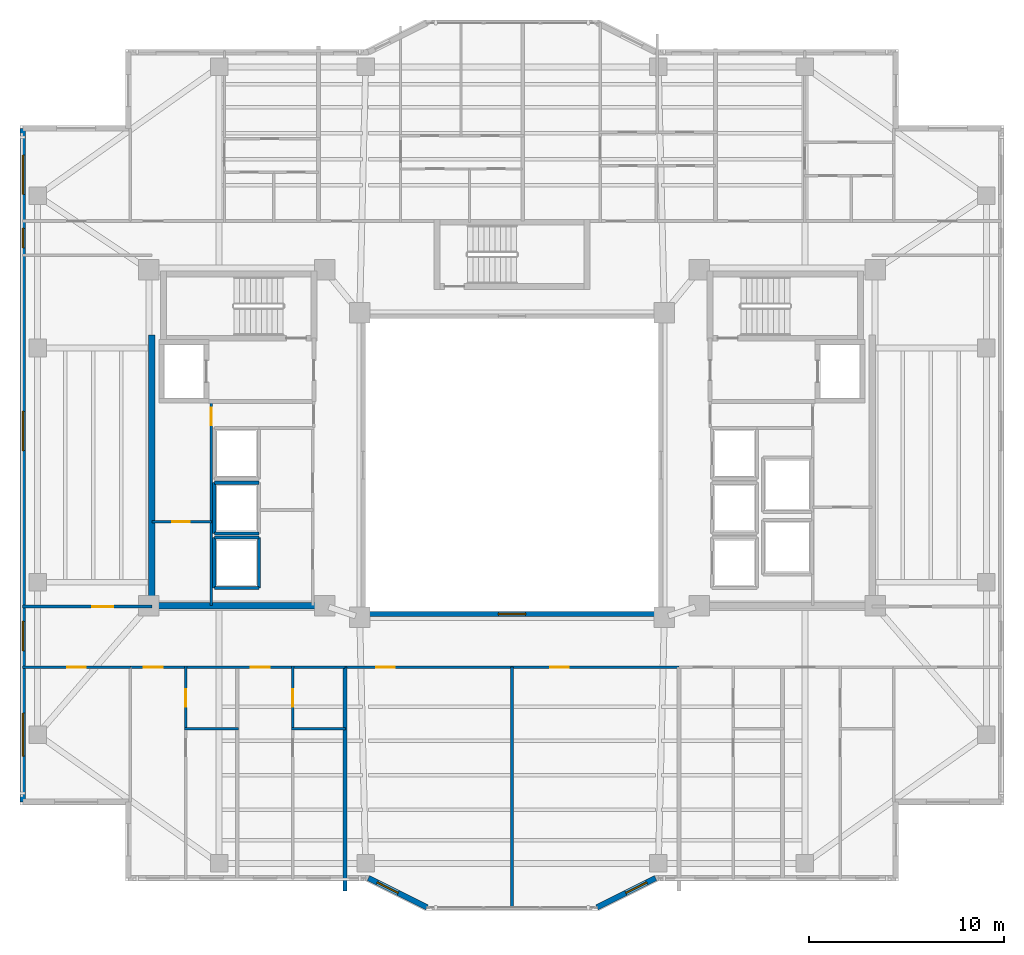
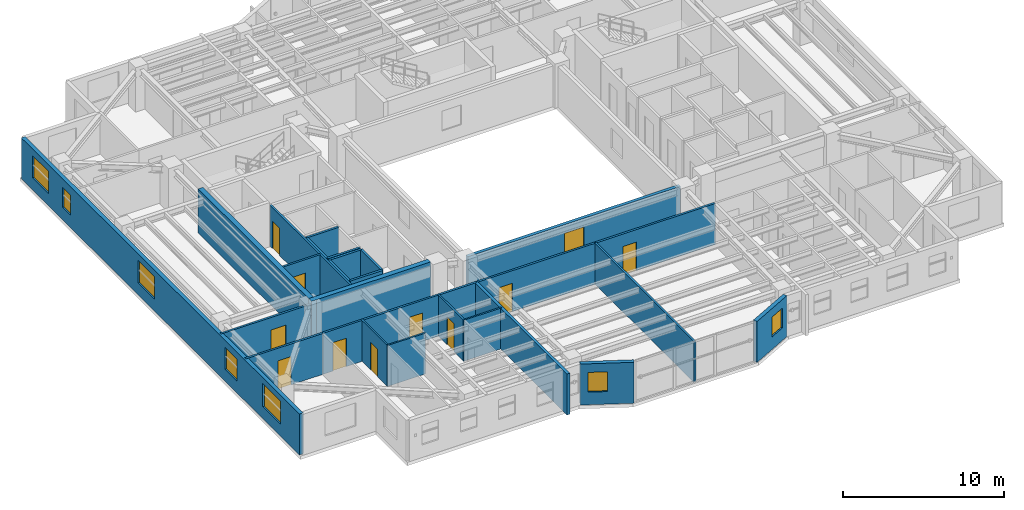
# One storey, part 6 of 16: 25 walls, 10 doors, 8 windows, 18 openings.
"""IFC4 building model written with IfcOpenShell, lengths in metres."""

from ifc_helpers import new_model, si_unit, direction, frame, frame_2d, origin, place, context, subcontext, project, spatial, rectangle, extrude, material, layer, layer_set, type_object, element, fill, save


model = new_model("IFC4")

# Units and contexts
model_context = context("Model", 3, precision=1e-05, world=origin(), true_north=direction((0.0, 1.0)))
body_context = subcontext(model_context, "Body", "Model", "MODEL_VIEW")
ifc_project = project(units=[si_unit("LENGTHUNIT", "METRE"), si_unit("AREAUNIT", "SQUARE_METRE"), si_unit("VOLUMEUNIT", "CUBIC_METRE"), si_unit("PLANEANGLEUNIT", "RADIAN"), si_unit("MASSUNIT", "GRAM", prefix="KILO")], contexts=[model_context])

# Site, building, storey
site_placement = place(None, origin())
site = spatial("IfcSite", under=ifc_project, at=site_placement, CompositionType="ELEMENT")
building_placement = place(site_placement, origin())
building = spatial("IfcBuilding", under=site, at=building_placement, Name="Tarnavaz Court Tower", CompositionType="ELEMENT")
storey_placement = place(building_placement, frame((0.0, 0.0, 152.699951171875)))
storey = spatial("IfcBuildingStorey", under=building, at=storey_placement, Name="L41", CompositionType="ELEMENT", Elevation=152.699951171875)

# Walls
ifc_material_1 = material(Name="Concrete C50/60", Category="concrete")
ifc_layer_1 = layer(ifc_material_1, 0.35009765625)
ifc_layer_set_1 = layer_set([ifc_layer_1], Name="Concrete C50/60")
wall_type_1 = type_object("IfcWallType", Name="WL-CORE-350-C50", PredefinedType="SHEAR", material=ifc_layer_set_1)
wall_1_placement = place(storey_placement, frame((-18.449951171875, -7.375, 0.0), z_axis=(0.0, 0.0, 1.0), x_axis=(0.0, 1.0, 0.0)))
element("IfcWall", 1, at=wall_1_placement, inside=storey, type_object=wall_type_1, Name="L41 West Core Shear Wall 057", PredefinedType="SHEAR", context=body_context, shape_type="SweptSolid", body=[
    extrude(rectangle(XDim=14.050048828125, YDim=0.35009765625, at=frame_2d((7.02490234375, 0.0))), origin(), (0.0, 0.0, 1.0), 3.35009765625),
])
wall_2_placement = place(storey_placement, frame((-18.625, -7.199951171875, 0.0), z_axis=(0.0, 0.0, 1.0), x_axis=(1.0, 0.0, 0.0)))
element("IfcWall", 2, at=wall_2_placement, inside=storey, type_object=wall_type_1, Name="L41 West Core South Shear Wall 058", PredefinedType="SHEAR", context=body_context, shape_type="SweptSolid", body=[
    extrude(rectangle(XDim=8.550048828125, YDim=0.35009765625, at=frame_2d((4.27490234375, 0.0))), origin(), (0.0, 0.0, 1.0), 3.35009765625),
])

# Wall, openings, windows
ifc_material_2 = material(Name="Precast Concrete C40/50", Category="concrete")
ifc_layer_2 = layer(ifc_material_2, 0.280029296875)
ifc_layer_set_2 = layer_set([ifc_layer_2], Name="Precast Concrete C40/50")
wall_type_2 = type_object("IfcWallType", Name="WL-EXT-280", PredefinedType="SOLIDWALL", material=ifc_layer_set_2)
wall_3_placement = place(storey_placement, frame((-25.050048828125, -17.25, 0.0), z_axis=(0.0, 0.0, 1.0), x_axis=(0.0, 1.0, 0.0)))
wall_3 = element("IfcWall", 3, at=wall_3_placement, inside=storey, type_object=wall_type_2, Name="L41 Exterior Terracotta Facade Wall 02", PredefinedType="SOLIDWALL", context=body_context, shape_type="SweptSolid", body=[
    extrude(rectangle(XDim=34.5, YDim=0.280029296875, at=frame_2d((17.25, 0.0))), origin(), (0.0, 0.0, 1.0), 3.10009765625),
])
opening_1_placement = place(wall_3_placement, frame((2.35009765625, 0.0, 0.89990234375)))
opening_1 = element("IfcOpeningElement", 4, at=opening_1_placement, cuts=wall_3, Name="Opening W07", PredefinedType="OPENING", context=body_context, shape_type="SweptSolid", body=[
    extrude(rectangle(XDim=2.199951171875, YDim=1.75, at=frame_2d((1.10009765625, 0.875))), frame((0.0, 0.14990234375, 0.0), z_axis=(0.0, -1.0, 0.0), x_axis=(1.0, 0.0, 0.0)), (0.0, 0.0, 1.0), 0.300048828125),
])
opening_2_placement = place(wall_3_placement, frame((7.742431640625, 0.0, 0.89990234375)))
opening_2 = element("IfcOpeningElement", 5, at=opening_2_placement, cuts=wall_3, Name="Opening W03", PredefinedType="OPENING", context=body_context, shape_type="SweptSolid", body=[
    extrude(rectangle(XDim=1.5, YDim=1.64990234375, at=frame_2d((0.75, 0.824951171875))), frame((0.0, 0.14990234375, 0.0), z_axis=(0.0, -1.0, 0.0), x_axis=(1.0, 0.0, 0.0)), (0.0, 0.0, 1.0), 0.300048828125),
])
opening_3_placement = place(wall_3_placement, frame((18.0, 0.0, 0.89990234375)))
opening_3 = element("IfcOpeningElement", 6, at=opening_3_placement, cuts=wall_3, Name="Opening W08", PredefinedType="OPENING", context=body_context, shape_type="SweptSolid", body=[
    extrude(rectangle(XDim=2.0, YDim=1.699951171875, at=frame_2d((1.0, 0.85009765625))), frame((0.0, 0.14990234375, 0.0), z_axis=(0.0, -1.0, 0.0), x_axis=(1.0, 0.0, 0.0)), (0.0, 0.0, 1.0), 0.300048828125),
])
opening_4_placement = place(wall_3_placement, frame((28.375, 0.0, 0.949951171875)))
opening_4 = element("IfcOpeningElement", 7, at=opening_4_placement, cuts=wall_3, Name="Opening W14", PredefinedType="OPENING", context=body_context, shape_type="SweptSolid", body=[
    extrude(rectangle(XDim=1.0, YDim=1.5, at=frame_2d((0.5, 0.75))), frame((0.0, 0.14990234375, 0.0), z_axis=(0.0, -1.0, 0.0), x_axis=(1.0, 0.0, 0.0)), (0.0, 0.0, 1.0), 0.300048828125),
])
opening_5_placement = place(wall_3_placement, frame((31.125, 0.0, 0.89990234375)))
opening_5 = element("IfcOpeningElement", 8, at=opening_5_placement, cuts=wall_3, Name="Opening W08", PredefinedType="OPENING", context=body_context, shape_type="SweptSolid", body=[
    extrude(rectangle(XDim=2.0, YDim=1.699951171875, at=frame_2d((1.0, 0.85009765625))), frame((0.0, 0.14990234375, 0.0), z_axis=(0.0, -1.0, 0.0), x_axis=(1.0, 0.0, 0.0)), (0.0, 0.0, 1.0), 0.300048828125),
])
ifc_material_3 = material(Name="Double-Glazed Solar Low-E Glass", Category="glass")
window_type_1 = type_object("IfcWindowType", Name="WN-APT-1000", PartitioningType="SINGLE_PANEL", PredefinedType="WINDOW", material=ifc_material_3)
window_1_placement = place(opening_4_placement, origin())
window_1 = element("IfcWindow", 9, at=window_1_placement, inside=storey, type_object=window_type_1, Name="L41 North-West Corner Corridor Window", OverallHeight=1.5, OverallWidth=1.0, PartitioningType="SINGLE_PANEL", PredefinedType="WINDOW", context=body_context, shape_type="SweptSolid", body=[
    extrude(rectangle(XDim=1.0, YDim=1.5, at=frame_2d((0.5, 0.75))), frame((0.0, 0.030029296875, 0.0), z_axis=(0.0, -1.0, 0.0), x_axis=(1.0, 0.0, 0.0)), (0.0, 0.0, 1.0), 0.06005859375),
])
fill(opening_4, window_1)
window_type_2 = type_object("IfcWindowType", Name="WN-APT-1500", PartitioningType="DOUBLE_PANEL_VERTICAL", PredefinedType="WINDOW", material=ifc_material_3)
window_2_placement = place(opening_2_placement, origin())
window_2 = element("IfcWindow", 10, at=window_2_placement, inside=storey, type_object=window_type_2, Name="L41 South-West Corner Corridor Window", OverallHeight=1.64990234375, OverallWidth=1.5, PartitioningType="SINGLE_PANEL", PredefinedType="WINDOW", context=body_context, shape_type="SweptSolid", body=[
    extrude(rectangle(XDim=1.5, YDim=1.64990234375, at=frame_2d((0.75, 0.824951171875))), frame((0.0, 0.030029296875, 0.0), z_axis=(0.0, -1.0, 0.0), x_axis=(1.0, 0.0, 0.0)), (0.0, 0.0, 1.0), 0.06005859375),
])
fill(opening_2, window_2)
window_type_3 = type_object("IfcWindowType", Name="WN-APT-2000", PartitioningType="DOUBLE_PANEL_VERTICAL", PredefinedType="WINDOW", material=ifc_material_3)
window_3_placement = place(opening_3_placement, origin())
window_3 = element("IfcWindow", 11, at=window_3_placement, inside=storey, type_object=window_type_3, Name="L41 West Wing Panoramic Study Gallery Window", OverallHeight=1.699951171875, OverallWidth=2.0, PartitioningType="SINGLE_PANEL", PredefinedType="WINDOW", context=body_context, shape_type="SweptSolid", body=[
    extrude(rectangle(XDim=2.0, YDim=1.699951171875, at=frame_2d((1.0, 0.85009765625))), frame((0.0, 0.030029296875, 0.0), z_axis=(0.0, -1.0, 0.0), x_axis=(1.0, 0.0, 0.0)), (0.0, 0.0, 1.0), 0.06005859375),
])
fill(opening_3, window_3)
window_4_placement = place(opening_5_placement, origin())
window_4 = element("IfcWindow", 12, at=window_4_placement, inside=storey, type_object=window_type_3, Name="L41 North-West Corner Sunroom Study Window", OverallHeight=1.699951171875, OverallWidth=2.0, PartitioningType="SINGLE_PANEL", PredefinedType="WINDOW", context=body_context, shape_type="SweptSolid", body=[
    extrude(rectangle(XDim=2.0, YDim=1.699951171875, at=frame_2d((1.0, 0.85009765625))), frame((0.0, 0.030029296875, 0.0), z_axis=(0.0, -1.0, 0.0), x_axis=(1.0, 0.0, 0.0)), (0.0, 0.0, 1.0), 0.06005859375),
])
fill(opening_5, window_4)
window_type_4 = type_object("IfcWindowType", Name="WN-APT-2200", PartitioningType="TRIPLE_PANEL_VERTICAL", PredefinedType="WINDOW", material=ifc_material_3)
window_5_placement = place(opening_1_placement, origin())
window_5 = element("IfcWindow", 13, at=window_5_placement, inside=storey, type_object=window_type_4, Name="L41 South-West Corner Reading Room Window", OverallHeight=1.75, OverallWidth=2.199951171875, PartitioningType="SINGLE_PANEL", PredefinedType="WINDOW", context=body_context, shape_type="SweptSolid", body=[
    extrude(rectangle(XDim=2.199951171875, YDim=1.75, at=frame_2d((1.10009765625, 0.875))), frame((0.0, 0.030029296875, 0.0), z_axis=(0.0, -1.0, 0.0), x_axis=(1.0, 0.0, 0.0)), (0.0, 0.0, 1.0), 0.06005859375),
])
fill(opening_1, window_5)

# Wall, opening, window
wall_4_placement = place(storey_placement, frame((7.35009765625, -21.14990234375, 0.0), z_axis=(0.0, 0.0, 1.0), x_axis=(-0.894427191, -0.4472135955, 0.0)))
wall_4 = element("IfcWall", 14, at=wall_4_placement, inside=storey, type_object=wall_type_2, Name="L41 Exterior Terracotta Facade Wall 16", PredefinedType="SOLIDWALL", context=body_context, shape_type="SweptSolid", body=[
    extrude(rectangle(XDim=3.35400390625, YDim=0.280029296875, at=frame_2d((1.677001953125, 0.0))), origin(), (0.0, 0.0, 1.0), 3.10009765625),
])
opening_6_placement = place(wall_4_placement, frame((0.501220703125, 0.0, 0.949951171875)))
opening_6 = element("IfcOpeningElement", 15, at=opening_6_placement, cuts=wall_4, Name="Opening W05", PredefinedType="OPENING", context=body_context, shape_type="SweptSolid", body=[
    extrude(rectangle(XDim=1.199951171875, YDim=1.5, at=frame_2d((0.60009765625, 0.75))), frame((0.0, 0.14990234375, 0.0), z_axis=(0.0, -1.0, 0.0), x_axis=(1.0, 0.0, 0.0)), (0.0, 0.0, 1.0), 0.300048828125),
])
window_type_5 = type_object("IfcWindowType", Name="WN-APT-1200", PartitioningType="SINGLE_PANEL", PredefinedType="WINDOW", material=ifc_material_3)
window_6_placement = place(opening_6_placement, origin())
window_6 = element("IfcWindow", 16, at=window_6_placement, inside=storey, type_object=window_type_5, Name="L41 South Courtyard Reading Room Window", OverallHeight=1.5, OverallWidth=1.199951171875, PartitioningType="SINGLE_PANEL", PredefinedType="WINDOW", context=body_context, shape_type="SweptSolid", body=[
    extrude(rectangle(XDim=1.199951171875, YDim=1.5, at=frame_2d((0.60009765625, 0.75))), frame((0.0, 0.030029296875, 0.0), z_axis=(0.0, -1.0, 0.0), x_axis=(1.0, 0.0, 0.0)), (0.0, 0.0, 1.0), 0.06005859375),
])
fill(opening_6, window_6)

wall_5_placement = place(storey_placement, frame((-4.35009765625, -22.64990234375, 0.0), z_axis=(0.0, 0.0, 1.0), x_axis=(-0.894427191, 0.4472135955, 0.0)))
wall_5 = element("IfcWall", 17, at=wall_5_placement, inside=storey, type_object=wall_type_2, Name="L41 Exterior Terracotta Facade Wall 18", PredefinedType="SOLIDWALL", context=body_context, shape_type="SweptSolid", body=[
    extrude(rectangle(XDim=3.35400390625, YDim=0.280029296875, at=frame_2d((1.677001953125, 0.0))), origin(), (0.0, 0.0, 1.0), 3.10009765625),
])
opening_7_placement = place(wall_5_placement, frame((1.65283203125, 0.0, 0.949951171875)))
opening_7 = element("IfcOpeningElement", 18, at=opening_7_placement, cuts=wall_5, Name="Opening W05", PredefinedType="OPENING", context=body_context, shape_type="SweptSolid", body=[
    extrude(rectangle(XDim=1.199951171875, YDim=1.5, at=frame_2d((0.60009765625, 0.75))), frame((0.0, 0.14990234375, 0.0), z_axis=(0.0, -1.0, 0.0), x_axis=(1.0, 0.0, 0.0)), (0.0, 0.0, 1.0), 0.300048828125),
])
window_7_placement = place(opening_7_placement, origin())
window_7 = element("IfcWindow", 19, at=window_7_placement, inside=storey, type_object=window_type_5, Name="L41 South Courtyard Majlis Lounge Window", OverallHeight=1.5, OverallWidth=1.199951171875, PartitioningType="SINGLE_PANEL", PredefinedType="WINDOW", context=body_context, shape_type="SweptSolid", body=[
    extrude(rectangle(XDim=1.199951171875, YDim=1.5, at=frame_2d((0.60009765625, 0.75))), frame((0.0, 0.030029296875, 0.0), z_axis=(0.0, -1.0, 0.0), x_axis=(1.0, 0.0, 0.0)), (0.0, 0.0, 1.0), 0.06005859375),
])
fill(opening_7, window_7)

# Wall, openings, doors
ifc_material_4 = material(Name="Gypsum Fire-Board on Acoustic Metal Stud", Category="masonry")
ifc_layer_3 = layer(ifc_material_4, 0.14990234375)
ifc_layer_set_3 = layer_set([ifc_layer_3], Name="Gypsum Fire-Board on Acoustic Metal Stud")
wall_type_3 = type_object("IfcWallType", Name="WL-FIRE-150", PredefinedType="PARTITIONING", material=ifc_layer_set_3)
wall_6_placement = place(storey_placement, frame((-19.550048828125, -10.35009765625, 0.0), z_axis=(0.0, 0.0, 1.0), x_axis=(1.0, 0.0, 0.0)))
wall_6 = element("IfcWall", 20, at=wall_6_placement, inside=storey, type_object=wall_type_3, Name="L41 SW Horseshoe Wall 073", PredefinedType="PARTITIONING", context=body_context, shape_type="SweptSolid", body=[
    extrude(rectangle(XDim=11.0, YDim=0.14990234375, at=frame_2d((5.5, 0.0))), origin(), (0.0, 0.0, 1.0), 3.10009765625),
])
opening_8_placement = place(wall_6_placement, frame((0.699951171875, 0.0, 0.0)))
opening_8 = element("IfcOpeningElement", 21, at=opening_8_placement, cuts=wall_6, Name="Opening D06", PredefinedType="OPENING", context=body_context, shape_type="SweptSolid", body=[
    extrude(rectangle(XDim=0.9599609375, YDim=2.14990234375, at=frame_2d((0.47998046875, 1.074951171875))), frame((0.0, 0.0849609375, 0.0), z_axis=(0.0, -1.0, 0.0), x_axis=(1.0, 0.0, 0.0)), (0.0, 0.0, 1.0), 0.169921875),
])
opening_9_placement = place(wall_6_placement, frame((6.175048828125, 0.0, 0.0)))
opening_9 = element("IfcOpeningElement", 22, at=opening_9_placement, cuts=wall_6, Name="Opening D06", PredefinedType="OPENING", context=body_context, shape_type="SweptSolid", body=[
    extrude(rectangle(XDim=0.9599609375, YDim=2.14990234375, at=frame_2d((0.47998046875, 1.074951171875))), frame((0.0, 0.0849609375, 0.0), z_axis=(0.0, -1.0, 0.0), x_axis=(1.0, 0.0, 0.0)), (0.0, 0.0, 1.0), 0.169921875),
])
ifc_material_5 = material(Name="Fire-Rated Hardwood Timber Core", Category="wood")
door_type_1 = type_object("IfcDoorType", Name="DR-FD60-950", OperationType="NOTDEFINED", PredefinedType="DOOR", material=ifc_material_5)
door_1_placement = place(opening_8_placement, origin())
door_1 = element("IfcDoor", 23, at=door_1_placement, inside=storey, type_object=door_type_1, Name="L41 Flat 05 Entrance Door", OperationType="SINGLE_SWING_LEFT", OverallHeight=2.14990234375, OverallWidth=0.9599609375, PredefinedType="DOOR", context=body_context, shape_type="SweptSolid", body=[
    extrude(rectangle(XDim=0.9599609375, YDim=2.14990234375, at=frame_2d((0.47998046875, 1.074951171875))), frame((0.0, 0.02490234375, 0.0), z_axis=(0.0, -1.0, 0.0), x_axis=(1.0, 0.0, 0.0)), (0.0, 0.0, 1.0), 0.050048828125),
])
fill(opening_8, door_1)
door_2_placement = place(opening_9_placement, origin())
door_2 = element("IfcDoor", 24, at=door_2_placement, inside=storey, type_object=door_type_1, Name="L41 Flat 06 Entrance Door", OperationType="SINGLE_SWING_RIGHT", OverallHeight=2.14990234375, OverallWidth=0.9599609375, PredefinedType="DOOR", context=body_context, shape_type="SweptSolid", body=[
    extrude(rectangle(XDim=0.9599609375, YDim=2.14990234375, at=frame_2d((0.47998046875, 1.074951171875))), frame((0.0, 0.02490234375, 0.0), z_axis=(0.0, -1.0, 0.0), x_axis=(1.0, 0.0, 0.0)), (0.0, 0.0, 1.0), 0.050048828125),
])
fill(opening_9, door_2)

wall_7_placement = place(storey_placement, frame((-8.550048828125, -10.35009765625, 0.0), z_axis=(0.0, 0.0, 1.0), x_axis=(1.0, 0.0, 0.0)))
wall_7 = element("IfcWall", 25, at=wall_7_placement, inside=storey, type_object=wall_type_3, Name="L41 Interior Partition 116", PredefinedType="PARTITIONING", context=body_context, shape_type="SweptSolid", body=[
    extrude(rectangle(XDim=17.10009765625, YDim=0.14990234375, at=frame_2d((8.550048828125, 0.0))), origin(), (0.0, 0.0, 1.0), 3.10009765625),
])
opening_10_placement = place(wall_7_placement, frame((1.60009765625, 0.0, 0.0)))
opening_10 = element("IfcOpeningElement", 26, at=opening_10_placement, cuts=wall_7, Name="Opening D13", PredefinedType="OPENING", context=body_context, shape_type="SweptSolid", body=[
    extrude(rectangle(XDim=0.949951171875, YDim=2.14990234375, at=frame_2d((0.47509765625, 1.074951171875))), frame((0.0, 0.0849609375, 0.0), z_axis=(0.0, -1.0, 0.0), x_axis=(1.0, 0.0, 0.0)), (0.0, 0.0, 1.0), 0.169921875),
])
opening_11_placement = place(wall_7_placement, frame((10.5, 0.0, 0.0)))
opening_11 = element("IfcOpeningElement", 27, at=opening_11_placement, cuts=wall_7, Name="Opening D13", PredefinedType="OPENING", context=body_context, shape_type="SweptSolid", body=[
    extrude(rectangle(XDim=0.949951171875, YDim=2.14990234375, at=frame_2d((0.47509765625, 1.074951171875))), frame((0.0, 0.0849609375, 0.0), z_axis=(0.0, -1.0, 0.0), x_axis=(1.0, 0.0, 0.0)), (0.0, 0.0, 1.0), 0.169921875),
])
ifc_material_6 = material(Name="Engineered Oak Timber", Category="wood")
door_type_2 = type_object("IfcDoorType", Name="DR-INT-950", OperationType="NOTDEFINED", PredefinedType="DOOR", material=ifc_material_6)
door_3_placement = place(opening_10_placement, origin())
door_3 = element("IfcDoor", 28, at=door_3_placement, inside=storey, type_object=door_type_2, Name="L41 South Majlis Lounge Door", OperationType="SINGLE_SWING_LEFT", OverallHeight=2.14990234375, OverallWidth=0.949951171875, PredefinedType="DOOR", context=body_context, shape_type="SweptSolid", body=[
    extrude(rectangle(XDim=0.949951171875, YDim=2.14990234375, at=frame_2d((0.47509765625, 1.074951171875))), frame((0.0, 0.02490234375, 0.0), z_axis=(0.0, -1.0, 0.0), x_axis=(1.0, 0.0, 0.0)), (0.0, 0.0, 1.0), 0.050048828125),
])
fill(opening_10, door_3)
door_4_placement = place(opening_11_placement, origin())
door_4 = element("IfcDoor", 29, at=door_4_placement, inside=storey, type_object=door_type_2, Name="L41 South Reading Room Door", OperationType="SINGLE_SWING_RIGHT", OverallHeight=2.14990234375, OverallWidth=0.949951171875, PredefinedType="DOOR", context=body_context, shape_type="SweptSolid", body=[
    extrude(rectangle(XDim=0.949951171875, YDim=2.14990234375, at=frame_2d((0.47509765625, 1.074951171875))), frame((0.0, 0.02490234375, 0.0), z_axis=(0.0, -1.0, 0.0), x_axis=(1.0, 0.0, 0.0)), (0.0, 0.0, 1.0), 0.050048828125),
])
fill(opening_11, door_4)

# Wall, opening, door
wall_8_placement = place(storey_placement, frame((-25.080078125, -7.25, 0.0), z_axis=(0.0, 0.0, 1.0), x_axis=(1.0, 0.0, 0.0)))
wall_8 = element("IfcWall", 30, at=wall_8_placement, inside=storey, type_object=wall_type_3, Name="L41 Interior Partition 118", PredefinedType="PARTITIONING", context=body_context, shape_type="SweptSolid", body=[
    extrude(rectangle(XDim=6.630126953125, YDim=0.14990234375, at=frame_2d((3.31494140625, 0.0))), origin(), (0.0, 0.0, 1.0), 3.10009765625),
])
opening_12_placement = place(wall_8_placement, frame((3.580078125, 0.0, 0.0)))
opening_12 = element("IfcOpeningElement", 31, at=opening_12_placement, cuts=wall_8, Name="Opening D12", PredefinedType="OPENING", context=body_context, shape_type="SweptSolid", body=[
    extrude(rectangle(XDim=1.080078125, YDim=2.14990234375, at=frame_2d((0.5400390625, 1.074951171875))), frame((0.0, 0.0849609375, 0.0), z_axis=(0.0, -1.0, 0.0), x_axis=(1.0, 0.0, 0.0)), (0.0, 0.0, 1.0), 0.169921875),
])
door_type_3 = type_object("IfcDoorType", Name="DR-INT-1100", OperationType="NOTDEFINED", PredefinedType="DOOR", material=ifc_material_6)
door_5_placement = place(opening_12_placement, origin())
door_5 = element("IfcDoor", 32, at=door_5_placement, inside=storey, type_object=door_type_3, Name="L41 West Study Gallery Door", OperationType="SINGLE_SWING_LEFT", OverallHeight=2.14990234375, OverallWidth=1.080078125, PredefinedType="DOOR", context=body_context, shape_type="SweptSolid", body=[
    extrude(rectangle(XDim=1.080078125, YDim=2.14990234375, at=frame_2d((0.5400390625, 1.074951171875))), frame((0.0, 0.02490234375, 0.0), z_axis=(0.0, -1.0, 0.0), x_axis=(1.0, 0.0, 0.0)), (0.0, 0.0, 1.0), 0.050048828125),
])
fill(opening_12, door_5)

wall_9_placement = place(storey_placement, frame((-25.080078125, -10.35009765625, 0.0), z_axis=(0.0, 0.0, 1.0), x_axis=(1.0, 0.0, 0.0)))
wall_9 = element("IfcWall", 33, at=wall_9_placement, inside=storey, type_object=wall_type_3, Name="L41 Interior Partition 128", PredefinedType="PARTITIONING", context=body_context, shape_type="SweptSolid", body=[
    extrude(rectangle(XDim=5.530029296875, YDim=0.14990234375, at=frame_2d((2.76513671875, 0.0))), origin(), (0.0, 0.0, 1.0), 3.10009765625),
])
opening_13_placement = place(wall_9_placement, frame((2.2900390625, 0.0, 0.0)))
opening_13 = element("IfcOpeningElement", 34, at=opening_13_placement, cuts=wall_9, Name="Opening D13", PredefinedType="OPENING", context=body_context, shape_type="SweptSolid", body=[
    extrude(rectangle(XDim=0.949951171875, YDim=2.14990234375, at=frame_2d((0.47509765625, 1.074951171875))), frame((0.0, 0.0849609375, 0.0), z_axis=(0.0, -1.0, 0.0), x_axis=(1.0, 0.0, 0.0)), (0.0, 0.0, 1.0), 0.169921875),
])
door_6_placement = place(opening_13_placement, origin())
door_6 = element("IfcDoor", 35, at=door_6_placement, inside=storey, type_object=door_type_2, Name="L41 SW Reading Room Door", OperationType="SINGLE_SWING_LEFT", OverallHeight=2.14990234375, OverallWidth=0.949951171875, PredefinedType="DOOR", context=body_context, shape_type="SweptSolid", body=[
    extrude(rectangle(XDim=0.949951171875, YDim=2.14990234375, at=frame_2d((0.47509765625, 1.074951171875))), frame((0.0, 0.02490234375, 0.0), z_axis=(0.0, -1.0, 0.0), x_axis=(1.0, 0.0, 0.0)), (0.0, 0.0, 1.0), 0.050048828125),
])
fill(opening_13, door_6)

# Wall
ifc_material_7 = material(Name="Autoclaved Aerated Concrete Blockwork", Category="masonry")
ifc_layer_4 = layer(ifc_material_7, 0.199951171875)
ifc_layer_set_4 = layer_set([ifc_layer_4], Name="Autoclaved Aerated Concrete Blockwork")
wall_type_4 = type_object("IfcWallType", Name="WL-FIRE-200", PredefinedType="SOLIDWALL", material=ifc_layer_set_4)
wall_10_placement = place(storey_placement, frame((-8.550048828125, -21.803955078125, 0.0), z_axis=(0.0, 0.0, 1.0), x_axis=(0.0, 1.0, 0.0)))
element("IfcWall", 36, at=wall_10_placement, inside=storey, type_object=wall_type_4, Name="L41 Party Wall 114", PredefinedType="SOLIDWALL", context=body_context, shape_type="SweptSolid", body=[
    extrude(rectangle(XDim=11.453857421875, YDim=0.199951171875, at=frame_2d((5.72705078125, 0.0))), origin(), (0.0, 0.0, 1.0), 3.10009765625),
])

# Wall, opening, door
ifc_material_8 = material(Name="Moisture-Resistant Gypsum Board Partition", Category="masonry")
ifc_layer_5 = layer(ifc_material_8, 0.1201171875)
ifc_layer_set_5 = layer_set([ifc_layer_5], Name="Moisture-Resistant Gypsum Board Partition")
wall_type_5 = type_object("IfcWallType", Name="WL-PART-120", PredefinedType="PARTITIONING", material=ifc_layer_set_5)
wall_11_placement = place(storey_placement, frame((-16.705078125, -13.510009765625, 0.0), z_axis=(0.0, 0.0, 1.0), x_axis=(0.0, 1.0, 0.0)))
wall_11 = element("IfcWall", 37, at=wall_11_placement, inside=storey, type_object=wall_type_5, Name="L41 Interior Partition 102", PredefinedType="PARTITIONING", context=body_context, shape_type="SweptSolid", body=[
    extrude(rectangle(XDim=3.219970703125, YDim=0.1201171875, at=frame_2d((1.60986328125, 0.0))), origin(), (0.0, 0.0, 1.0), 3.10009765625),
])
opening_14_placement = place(wall_11_placement, frame((1.139892578125, 0.0, 0.0)))
opening_14 = element("IfcOpeningElement", 38, at=opening_14_placement, cuts=wall_11, Name="Opening D14", PredefinedType="OPENING", context=body_context, shape_type="SweptSolid", body=[
    extrude(rectangle(XDim=0.8798828125, YDim=2.10009765625, at=frame_2d((0.43994140625, 1.050048828125))), frame((0.0, 0.070068359375, 0.0), z_axis=(0.0, -1.0, 0.0), x_axis=(1.0, 0.0, 0.0)), (0.0, 0.0, 1.0), 0.14013671875),
])
door_type_4 = type_object("IfcDoorType", Name="DR-INT-900", OperationType="NOTDEFINED", PredefinedType="DOOR", material=ifc_material_6)
door_7_placement = place(opening_14_placement, origin())
door_7 = element("IfcDoor", 39, at=door_7_placement, inside=storey, type_object=door_type_4, Name="L41 Flat 05 Bathroom Door", OperationType="SINGLE_SWING_LEFT", OverallHeight=2.10009765625, OverallWidth=0.8798828125, PredefinedType="DOOR", context=body_context, shape_type="SweptSolid", body=[
    extrude(rectangle(XDim=0.8798828125, YDim=2.10009765625, at=frame_2d((0.43994140625, 1.050048828125))), frame((0.0, 0.02490234375, 0.0), z_axis=(0.0, -1.0, 0.0), x_axis=(1.0, 0.0, 0.0)), (0.0, 0.0, 1.0), 0.050048828125),
])
fill(opening_14, door_7)

# Wall
wall_12_placement = place(storey_placement, frame((-16.764892578125, -13.510009765625, 0.0), z_axis=(0.0, 0.0, 1.0), x_axis=(1.0, 0.0, 0.0)))
element("IfcWall", 40, at=wall_12_placement, inside=storey, type_object=wall_type_5, Name="L41 Interior Partition 103", PredefinedType="PARTITIONING", context=body_context, shape_type="SweptSolid", body=[
    extrude(rectangle(XDim=2.75, YDim=0.1201171875, at=frame_2d((1.375, 0.0))), origin(), (0.0, 0.0, 1.0), 3.10009765625),
])

# Wall, opening, door
wall_13_placement = place(storey_placement, frame((-11.22998046875, -13.510009765625, 0.0), z_axis=(0.0, 0.0, 1.0), x_axis=(0.0, 1.0, 0.0)))
wall_13 = element("IfcWall", 41, at=wall_13_placement, inside=storey, type_object=wall_type_5, Name="L41 Interior Partition 105", PredefinedType="PARTITIONING", context=body_context, shape_type="SweptSolid", body=[
    extrude(rectangle(XDim=3.219970703125, YDim=0.1201171875, at=frame_2d((1.60986328125, 0.0))), origin(), (0.0, 0.0, 1.0), 3.10009765625),
])
opening_15_placement = place(wall_13_placement, frame((1.139892578125, 0.0, 0.0)))
opening_15 = element("IfcOpeningElement", 42, at=opening_15_placement, cuts=wall_13, Name="Opening D14", PredefinedType="OPENING", context=body_context, shape_type="SweptSolid", body=[
    extrude(rectangle(XDim=0.8798828125, YDim=2.10009765625, at=frame_2d((0.43994140625, 1.050048828125))), frame((0.0, 0.070068359375, 0.0), z_axis=(0.0, -1.0, 0.0), x_axis=(1.0, 0.0, 0.0)), (0.0, 0.0, 1.0), 0.14013671875),
])
door_8_placement = place(opening_15_placement, origin())
door_8 = element("IfcDoor", 43, at=door_8_placement, inside=storey, type_object=door_type_4, Name="L41 Flat 06 Bathroom Door", OperationType="SINGLE_SWING_RIGHT", OverallHeight=2.10009765625, OverallWidth=0.8798828125, PredefinedType="DOOR", context=body_context, shape_type="SweptSolid", body=[
    extrude(rectangle(XDim=0.8798828125, YDim=2.10009765625, at=frame_2d((0.43994140625, 1.050048828125))), frame((0.0, 0.02490234375, 0.0), z_axis=(0.0, -1.0, 0.0), x_axis=(1.0, 0.0, 0.0)), (0.0, 0.0, 1.0), 0.050048828125),
])
fill(opening_15, door_8)

# Wall
wall_14_placement = place(storey_placement, frame((-11.2900390625, -13.510009765625, 0.0), z_axis=(0.0, 0.0, 1.0), x_axis=(1.0, 0.0, 0.0)))
element("IfcWall", 44, at=wall_14_placement, inside=storey, type_object=wall_type_5, Name="L41 Interior Partition 106", PredefinedType="PARTITIONING", context=body_context, shape_type="SweptSolid", body=[
    extrude(rectangle(XDim=2.75, YDim=0.1201171875, at=frame_2d((1.375, 0.0))), origin(), (0.0, 0.0, 1.0), 3.10009765625),
])

# Wall, opening, door
ifc_material_9 = material(Name="Gypsum Plasterboard Acoustic Partition", Category="masonry")
ifc_layer_6 = layer(ifc_material_9, 0.139892578125)
ifc_layer_set_6 = layer_set([ifc_layer_6], Name="Gypsum Plasterboard Acoustic Partition")
wall_type_6 = type_object("IfcWallType", Name="WL-PART-150", PredefinedType="PARTITIONING", material=ifc_layer_set_6)
wall_15_placement = place(storey_placement, frame((-15.39990234375, -7.199951171875, 0.0), z_axis=(0.0, 0.0, 1.0), x_axis=(0.0, 1.0, 0.0)))
wall_15 = element("IfcWall", 45, at=wall_15_placement, inside=storey, type_object=wall_type_6, Name="L41 Interior Partition 063", PredefinedType="PARTITIONING", context=body_context, shape_type="SweptSolid", body=[
    extrude(rectangle(XDim=10.449951171875, YDim=0.139892578125, at=frame_2d((5.22509765625, 0.0))), origin(), (0.0, 0.0, 1.0), 3.10009765625),
])
opening_16_placement = place(wall_15_placement, frame((9.25, 0.0, 0.0)))
opening_16 = element("IfcOpeningElement", 46, at=opening_16_placement, cuts=wall_15, Name="Opening D09", PredefinedType="OPENING", context=body_context, shape_type="SweptSolid", body=[
    extrude(rectangle(XDim=0.89990234375, YDim=2.080078125, at=frame_2d((0.449951171875, 1.0400390625))), frame((0.0, 0.079833984375, 0.0), z_axis=(0.0, -1.0, 0.0), x_axis=(1.0, 0.0, 0.0)), (0.0, 0.0, 1.0), 0.159912109375),
])
door_type_5 = type_object("IfcDoorType", Name="DR-FD30-900", OperationType="NOTDEFINED", PredefinedType="DOOR", material=ifc_material_5)
door_9_placement = place(opening_16_placement, origin())
door_9 = element("IfcDoor", 47, at=door_9_placement, inside=storey, type_object=door_type_5, Name="L41 West Valve Room Door", OperationType="SINGLE_SWING_RIGHT", OverallHeight=2.080078125, OverallWidth=0.89990234375, PredefinedType="DOOR", context=body_context, shape_type="SweptSolid", body=[
    extrude(rectangle(XDim=0.89990234375, YDim=2.080078125, at=frame_2d((0.449951171875, 1.0400390625))), frame((0.0, 0.02490234375, 0.0), z_axis=(0.0, -1.0, 0.0), x_axis=(1.0, 0.0, 0.0)), (0.0, 0.0, 1.0), 0.050048828125),
])
fill(opening_16, door_9)

wall_16_placement = place(storey_placement, frame((-18.449951171875, -2.89990234375, 0.0), z_axis=(0.0, 0.0, 1.0), x_axis=(1.0, 0.0, 0.0)))
wall_16 = element("IfcWall", 48, at=wall_16_placement, inside=storey, type_object=wall_type_6, Name="L41 Interior Partition 064", PredefinedType="PARTITIONING", context=body_context, shape_type="SweptSolid", body=[
    extrude(rectangle(XDim=3.050048828125, YDim=0.139892578125, at=frame_2d((1.52490234375, 0.0))), origin(), (0.0, 0.0, 1.0), 3.10009765625),
])
opening_17_placement = place(wall_16_placement, frame((1.050048828125, 0.0, 0.0)))
opening_17 = element("IfcOpeningElement", 49, at=opening_17_placement, cuts=wall_16, Name="Opening D09", PredefinedType="OPENING", context=body_context, shape_type="SweptSolid", body=[
    extrude(rectangle(XDim=0.89990234375, YDim=2.080078125, at=frame_2d((0.449951171875, 1.0400390625))), frame((0.0, 0.079833984375, 0.0), z_axis=(0.0, -1.0, 0.0), x_axis=(1.0, 0.0, 0.0)), (0.0, 0.0, 1.0), 0.159912109375),
])
door_10_placement = place(opening_17_placement, origin())
door_10 = element("IfcDoor", 50, at=door_10_placement, inside=storey, type_object=door_type_5, Name="L41 West Power Plant Door", OperationType="SINGLE_SWING_LEFT", OverallHeight=2.080078125, OverallWidth=0.89990234375, PredefinedType="DOOR", context=body_context, shape_type="SweptSolid", body=[
    extrude(rectangle(XDim=0.89990234375, YDim=2.080078125, at=frame_2d((0.449951171875, 1.0400390625))), frame((0.0, 0.02490234375, 0.0), z_axis=(0.0, -1.0, 0.0), x_axis=(1.0, 0.0, 0.0)), (0.0, 0.0, 1.0), 0.050048828125),
])
fill(opening_17, door_10)

# Walls
wall_17_placement = place(storey_placement, frame((0.0, -22.679931640625, 0.0), z_axis=(0.0, 0.0, 1.0), x_axis=(0.0, 1.0, 0.0)))
element("IfcWall", 51, at=wall_17_placement, inside=storey, type_object=wall_type_6, Name="L41 Interior Partition 117", PredefinedType="PARTITIONING", context=body_context, shape_type="SweptSolid", body=[
    extrude(rectangle(XDim=12.329833984375, YDim=0.139892578125, at=frame_2d((6.1650390625, 0.0))), origin(), (0.0, 0.0, 1.0), 3.10009765625),
])
ifc_layer_7 = layer(ifc_material_7, 0.159912109375)
ifc_layer_set_7 = layer_set([ifc_layer_7], Name="Autoclaved Aerated Concrete Blockwork")
wall_type_7 = type_object("IfcWallType", Name="WL-SHAFT-150", PredefinedType="SOLIDWALL", material=ifc_layer_set_7)
for number, where, z_axis, x_axis, name in (
    (52, (-15.25, -6.300048828125, 0.0), (0.0, 0.0, 1.0), (0.0, 1.0, 0.0), "L41 Lift PL-H1 Shaft Wall 021"),
    (53, (-12.949951171875, -6.300048828125, 0.0), (0.0, 0.0, 1.0), (0.0, 1.0, 0.0), "L41 Lift PL-H1 Shaft Wall 022"),
):
    element("IfcWall", number, at=place(storey_placement, frame(where, z_axis=z_axis, x_axis=x_axis)), inside=storey, type_object=wall_type_7, Name=name, PredefinedType="SOLIDWALL", context=body_context, shape_type="SweptSolid", body=[
        extrude(rectangle(XDim=2.60009765625, YDim=0.159912109375, at=frame_2d((1.300048828125, 0.0))), origin(), (0.0, 0.0, 1.0), 3.10009765625),
    ])
for number, where, z_axis, x_axis, name in (
    (54, (-15.25, -6.300048828125, 0.0), (0.0, 0.0, 1.0), (1.0, 0.0, 0.0), "L41 Lift PL-H1 Shaft Wall 023"),
    (55, (-15.25, -3.699951171875, 0.0), (0.0, 0.0, 1.0), (1.0, 0.0, 0.0), "L41 Lift PL-H1 Shaft Wall 024"),
):
    element("IfcWall", number, at=place(storey_placement, frame(where, z_axis=z_axis, x_axis=x_axis)), inside=storey, type_object=wall_type_7, Name=name, PredefinedType="SOLIDWALL", context=body_context, shape_type="SweptSolid", body=[
        extrude(rectangle(XDim=2.300048828125, YDim=0.159912109375, at=frame_2d((1.14990234375, 0.0))), origin(), (0.0, 0.0, 1.0), 3.10009765625),
    ])
wall_18_placement = place(storey_placement, frame((-15.25, -3.5, 0.0), z_axis=(0.0, 0.0, 1.0), x_axis=(0.0, 1.0, 0.0)))
element("IfcWall", 56, at=wall_18_placement, inside=storey, type_object=wall_type_7, Name="L41 Lift PL-H2 Shaft Wall 025", PredefinedType="SOLIDWALL", context=body_context, shape_type="SweptSolid", body=[
    extrude(rectangle(XDim=2.60009765625, YDim=0.159912109375, at=frame_2d((1.300048828125, 0.0))), origin(), (0.0, 0.0, 1.0), 3.10009765625),
])
for number, where, z_axis, x_axis, name in (
    (57, (-15.25, -3.5, 0.0), (0.0, 0.0, 1.0), (1.0, 0.0, 0.0), "L41 Lift PL-H2 Shaft Wall 027"),
    (58, (-15.25, -0.89990234375, 0.0), (0.0, 0.0, 1.0), (1.0, 0.0, 0.0), "L41 Lift PL-H2 Shaft Wall 028"),
):
    element("IfcWall", number, at=place(storey_placement, frame(where, z_axis=z_axis, x_axis=x_axis)), inside=storey, type_object=wall_type_7, Name=name, PredefinedType="SOLIDWALL", context=body_context, shape_type="SweptSolid", body=[
        extrude(rectangle(XDim=2.300048828125, YDim=0.159912109375, at=frame_2d((1.14990234375, 0.0))), origin(), (0.0, 0.0, 1.0), 3.10009765625),
    ])

# Wall, opening, window
ifc_layer_8 = layer(ifc_material_2, 0.239990234375)
ifc_layer_set_8 = layer_set([ifc_layer_8], Name="Precast Concrete C40/50")
wall_type_8 = type_object("IfcWallType", Name="WL-WELL-240", PredefinedType="SOLIDWALL", material=ifc_layer_set_8)
wall_19_placement = place(storey_placement, frame((-7.6201171875, -7.6201171875, 0.0), z_axis=(0.0, 0.0, 1.0), x_axis=(1.0, 0.0, 0.0)))
wall_19 = element("IfcWall", 59, at=wall_19_placement, inside=storey, type_object=wall_type_8, Name="L41 Badgir Light-Well Exterior Wall S", PredefinedType="SOLIDWALL", context=body_context, shape_type="SweptSolid", body=[
    extrude(rectangle(XDim=15.240234375, YDim=0.239990234375, at=frame_2d((7.6201171875, 0.0))), origin(), (0.0, 0.0, 1.0), 3.10009765625),
])
opening_18_placement = place(wall_19_placement, frame((6.919921875, 0.0, 0.949951171875)))
opening_18 = element("IfcOpeningElement", 60, at=opening_18_placement, cuts=wall_19, Name="Opening W13", PredefinedType="OPENING", context=body_context, shape_type="SweptSolid", body=[
    extrude(rectangle(XDim=1.39990234375, YDim=1.5, at=frame_2d((0.699951171875, 0.75))), frame((0.0, 0.1298828125, 0.0), z_axis=(0.0, -1.0, 0.0), x_axis=(1.0, 0.0, 0.0)), (0.0, 0.0, 1.0), 0.260009765625),
])
window_type_6 = type_object("IfcWindowType", Name="WN-WEL-1400", PartitioningType="SINGLE_PANEL", PredefinedType="WINDOW", material=ifc_material_3)
window_8_placement = place(opening_18_placement, origin())
window_8 = element("IfcWindow", 61, at=window_8_placement, inside=storey, type_object=window_type_6, Name="L41 Courtyard Gallery Window S", OverallHeight=1.5, OverallWidth=1.39990234375, PartitioningType="SINGLE_PANEL", PredefinedType="WINDOW", context=body_context, shape_type="SweptSolid", body=[
    extrude(rectangle(XDim=1.39990234375, YDim=1.5, at=frame_2d((0.699951171875, 0.75))), frame((0.0, 0.030029296875, 0.0), z_axis=(0.0, -1.0, 0.0), x_axis=(1.0, 0.0, 0.0)), (0.0, 0.0, 1.0), 0.06005859375),
])
fill(opening_18, window_8)

save(model, "model.ifc")
